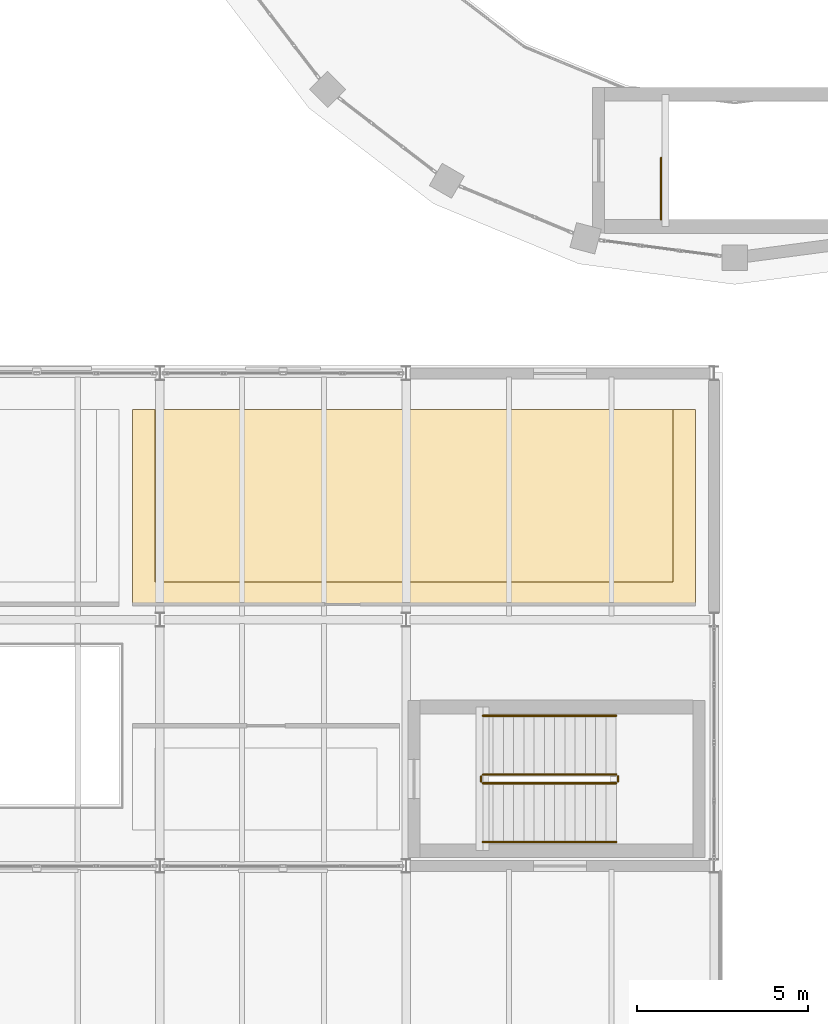
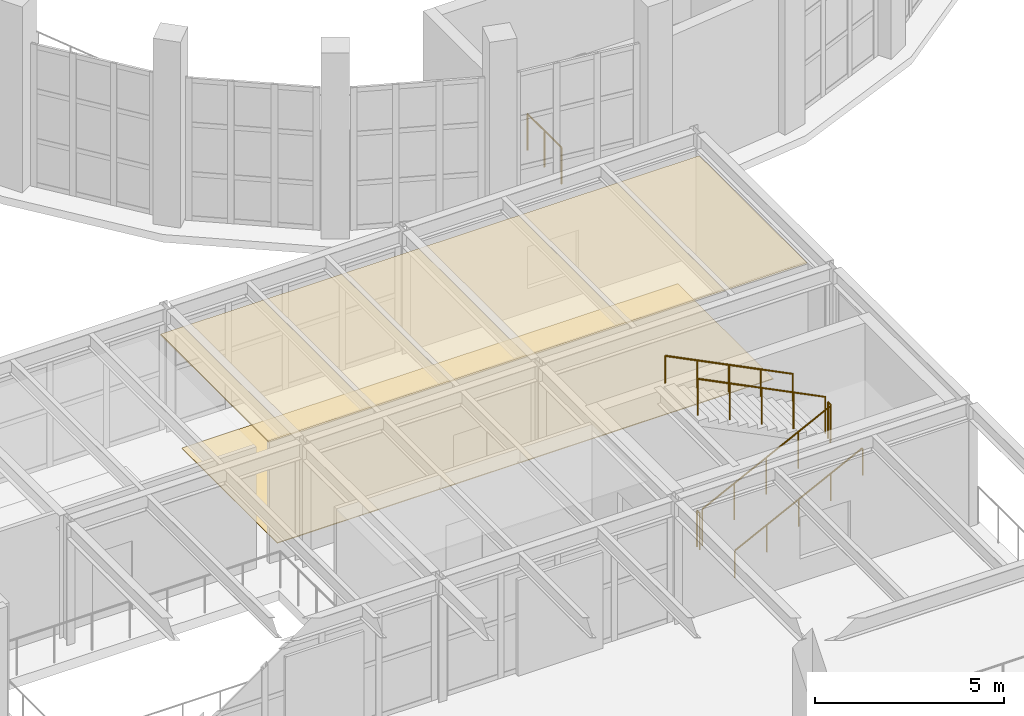
# One storey, part 58 of 59: 7 railings, 2 coverings.
"""IFC4 building model written with IfcOpenShell, lengths in metres."""

from ifc_helpers import new_model, si_unit, direction, frame, origin, origin_2d, place, context, subcontext, project, spatial, polyline, circle, outline, extrude, material, layer, layer_set, type_object, element, save


model = new_model("IFC4")

# Units and contexts
model_context = context("Model", 3, precision=1e-05, world=origin(), true_north=direction((0.0, 1.0)))
body_context = subcontext(model_context, "Body", "Model", "MODEL_VIEW")
ifc_project = project(units=[si_unit("LENGTHUNIT", "METRE"), si_unit("AREAUNIT", "SQUARE_METRE"), si_unit("VOLUMEUNIT", "CUBIC_METRE"), si_unit("PLANEANGLEUNIT", "RADIAN"), si_unit("MASSUNIT", "GRAM", prefix="KILO")], contexts=[model_context])

# Site, building, storey
site_placement = place(None, origin())
site = spatial("IfcSite", under=ifc_project, at=site_placement, CompositionType="ELEMENT")
building_placement = place(site_placement, origin())
building = spatial("IfcBuilding", under=site, at=building_placement, Name="Kandorven Conservatory and Botanical Research Centre", CompositionType="ELEMENT")
storey_placement = place(building_placement, frame((0.0, 0.0, 4.800048828125)))
storey = spatial("IfcBuildingStorey", under=building, at=storey_placement, Name="L01", CompositionType="ELEMENT", Elevation=4.800048828125)

# Coverings
ifc_material_1 = material(Name="Perforated mineral-fibre acoustic ceiling tile", Category="gypsum")
ifc_layer_1 = layer(ifc_material_1, 0.0400390625)
ifc_layer_set_1 = layer_set([ifc_layer_1], Name="Perforated mineral-fibre acoustic ceiling tile")
covering_type_1 = type_object("IfcCoveringType", Name="Cov_Ceiling_1", PredefinedType="CEILING", material=ifc_layer_set_1)
covering_1_placement = place(storey_placement, frame((0.0, 0.0, 3.889892578125)))
element("IfcCovering", 1, at=covering_1_placement, inside=storey, type_object=covering_type_1, Name="Suspended acoustic ceiling CLG-01 (Medicinal Plants and Ethnobotany Exhibition Gallery)", PredefinedType="CEILING", context=body_context, shape_type="SweptSolid", body=[
    extrude(outline(polyline([(70.0, 20.85009765625), (86.449951171875, 20.85009765625), (86.449951171875, 26.550048828125), (70.0, 26.550048828125), (70.0, 20.85009765625)])), origin(), (0.0, 0.0, 1.0), 0.0400390625),
])
ifc_material_2 = material(Name="Honed Kota stone and epoxy laboratory flooring", Category="masonry")
ifc_layer_2 = layer(ifc_material_2, 0.02490234375)
ifc_layer_set_2 = layer_set([ifc_layer_2], Name="Honed Kota stone and epoxy laboratory flooring")
covering_type_2 = type_object("IfcCoveringType", Name="Cov_Flooring_1", PredefinedType="FLOORING", material=ifc_layer_set_2)
covering_2_placement = place(storey_placement, origin())
element("IfcCovering", 2, at=covering_2_placement, inside=storey, type_object=covering_type_2, Name="Floor finish FLR-01 (Medicinal Plants and Ethnobotany Exhibition Gallery)", PredefinedType="FLOORING", context=body_context, shape_type="SweptSolid", body=[
    extrude(outline(polyline([(70.64990234375, 21.5), (85.800048828125, 21.5), (85.800048828125, 26.550048828125), (70.64990234375, 26.550048828125), (70.64990234375, 21.5)])), origin(), (0.0, 0.0, 1.0), 0.02490234375),
])

# Railings
ifc_material_3 = material(Name="Steel S355 (IS 2062 E350)", Category="steel")
railing_type_1 = type_object("IfcRailingType", Name="StairGuard_1150", PredefinedType="BALUSTRADE", material=ifc_material_3)
railing_1_placement = place(storey_placement, frame((80.239990234375, 15.6201171875, 0.14990234375)))
element("IfcRailing", 3, at=railing_1_placement, inside=storey, type_object=railing_type_1, Name="L01 ST-V3B stair guard 1", PredefinedType="BALUSTRADE", context=body_context, shape_type="SweptSolid", body=[
    extrude(circle(Radius=0.02392578125, at=origin_2d()), frame((0.0, 0.0, 1.17578125), z_axis=(0.894427191, 0.0, 0.4472135955), x_axis=(0.0, 1.0, 0.0)), (0.0, 0.0, 1.0), 4.360107421875),
    extrude(circle(Radius=0.02099609375, at=origin_2d()), origin(), (0.0, 0.0, 1.0), 1.15185546875),
    extrude(circle(Radius=0.02099609375, at=origin_2d()), frame((0.97509765625, 0.0, 0.487548828125)), (0.0, 0.0, 1.0), 1.15185546875),
    extrude(circle(Radius=0.02099609375, at=origin_2d()), frame((1.949951171875, 0.0, 0.97509765625)), (0.0, 0.0, 1.0), 1.15185546875),
    extrude(circle(Radius=0.02099609375, at=origin_2d()), frame((2.9248046875, 0.0, 1.46240234375)), (0.0, 0.0, 1.0), 1.15185546875),
    extrude(circle(Radius=0.02099609375, at=origin_2d()), frame((3.89990234375, 0.0, 1.949951171875)), (0.0, 0.0, 1.0), 1.15185546875),
])
railing_2_placement = place(storey_placement, frame((84.18994140625, 15.669921875, 2.099853515625)))
element("IfcRailing", 4, at=railing_2_placement, inside=storey, type_object=railing_type_1, Name="L01 ST-V3B stair guard 2", PredefinedType="BALUSTRADE", context=body_context, shape_type="SweptSolid", body=[
    extrude(circle(Radius=0.02392578125, at=origin_2d()), frame((0.0, 0.0, 1.17578125), z_axis=(0.0, 1.0, 0.0), x_axis=(-1.0, 0.0, 0.0)), (0.0, 0.0, 1.0), 0.150146484375),
    extrude(circle(Radius=0.02099609375, at=origin_2d()), origin(), (0.0, 0.0, 1.0), 1.15185546875),
    extrude(circle(Radius=0.02099609375, at=origin_2d()), frame((0.0, 0.150146484375, 0.0)), (0.0, 0.0, 1.0), 1.15185546875),
])
railing_3_placement = place(storey_placement, frame((84.139892578125, 15.8701171875, 2.25)))
element("IfcRailing", 5, at=railing_3_placement, inside=storey, type_object=railing_type_1, Name="L01 ST-V3B stair guard 3", PredefinedType="BALUSTRADE", context=body_context, shape_type="SweptSolid", body=[
    extrude(circle(Radius=0.02392578125, at=origin_2d()), frame((0.0, 0.0, 1.17578125), z_axis=(-0.894427191, 0.0, 0.4472135955), x_axis=(0.0, -1.0, 0.0)), (0.0, 0.0, 1.0), 4.360107421875),
    extrude(circle(Radius=0.02099609375, at=origin_2d()), origin(), (0.0, 0.0, 1.0), 1.15185546875),
    extrude(circle(Radius=0.02099609375, at=origin_2d()), frame((-0.97509765625, 0.0, 0.487548828125)), (0.0, 0.0, 1.0), 1.15185546875),
    extrude(circle(Radius=0.02099609375, at=origin_2d()), frame((-1.949951171875, 0.0, 0.97509765625)), (0.0, 0.0, 1.0), 1.15185546875),
    extrude(circle(Radius=0.02099609375, at=origin_2d()), frame((-2.9248046875, 0.0, 1.46240234375)), (0.0, 0.0, 1.0), 1.15185546875),
    extrude(circle(Radius=0.02099609375, at=origin_2d()), frame((-3.89990234375, 0.0, 1.949951171875)), (0.0, 0.0, 1.0), 1.15185546875),
])
railing_4_placement = place(storey_placement, frame((80.18994140625, 15.669921875, 0.0)))
element("IfcRailing", 6, at=railing_4_placement, inside=storey, type_object=railing_type_1, Name="L01 ST-V3B stair guard 4", PredefinedType="BALUSTRADE", context=body_context, shape_type="SweptSolid", body=[
    extrude(circle(Radius=0.02392578125, at=origin_2d()), frame((0.0, 0.0, 1.17578125), z_axis=(0.0, 1.0, 0.0), x_axis=(-1.0, 0.0, 0.0)), (0.0, 0.0, 1.0), 0.150146484375),
    extrude(circle(Radius=0.02099609375, at=origin_2d()), origin(), (0.0, 0.0, 1.0), 1.15185546875),
    extrude(circle(Radius=0.02099609375, at=origin_2d()), frame((0.0, 0.150146484375, 0.0)), (0.0, 0.0, 1.0), 1.15185546875),
])
railing_5_placement = place(storey_placement, frame((85.449951171875, 32.10009765625, 0.0)))
element("IfcRailing", 7, at=railing_5_placement, inside=storey, type_object=railing_type_1, Name="L01 ST-V1 top well guard 1", PredefinedType="BALUSTRADE", context=body_context, shape_type="SweptSolid", body=[
    extrude(circle(Radius=0.02392578125, at=origin_2d()), frame((0.0, 0.0, 1.17578125), z_axis=(0.0, 1.0, 0.0), x_axis=(-1.0, 0.0, 0.0)), (0.0, 0.0, 1.0), 1.7998046875),
    extrude(circle(Radius=0.02099609375, at=origin_2d()), origin(), (0.0, 0.0, 1.0), 1.15185546875),
    extrude(circle(Radius=0.02099609375, at=origin_2d()), frame((0.0, 0.89990234375, 0.0)), (0.0, 0.0, 1.0), 1.15185546875),
    extrude(circle(Radius=0.02099609375, at=origin_2d()), frame((0.0, 1.7998046875, 0.0)), (0.0, 0.0, 1.0), 1.15185546875),
])
ifc_material_4 = material(Name="Steel S355 (IS 2062 E350)", Category="steel")
railing_type_2 = type_object("IfcRailingType", Name="StairHandrail_900", PredefinedType="HANDRAIL", material=ifc_material_4)
railing_6_placement = place(storey_placement, frame((80.239990234375, 13.89990234375, 0.14990234375)))
element("IfcRailing", 8, at=railing_6_placement, inside=storey, type_object=railing_type_2, Name="L01 ST-V3B stair handrail 1", PredefinedType="HANDRAIL", context=body_context, shape_type="SweptSolid", body=[
    extrude(circle(Radius=0.02392578125, at=origin_2d()), frame((0.0, 0.0, 0.8759765625), z_axis=(0.894427191, 0.0, 0.4472135955), x_axis=(0.0, 1.0, 0.0)), (0.0, 0.0, 1.0), 4.360107421875),
    extrude(circle(Radius=0.02099609375, at=origin_2d()), origin(), (0.0, 0.0, 1.0), 0.851806640625),
    extrude(circle(Radius=0.02099609375, at=origin_2d()), frame((0.97509765625, 0.0, 0.487548828125)), (0.0, 0.0, 1.0), 0.851806640625),
    extrude(circle(Radius=0.02099609375, at=origin_2d()), frame((1.949951171875, 0.0, 0.97509765625)), (0.0, 0.0, 1.0), 0.851806640625),
    extrude(circle(Radius=0.02099609375, at=origin_2d()), frame((2.9248046875, 0.0, 1.46240234375)), (0.0, 0.0, 1.0), 0.851806640625),
    extrude(circle(Radius=0.02099609375, at=origin_2d()), frame((3.89990234375, 0.0, 1.949951171875)), (0.0, 0.0, 1.0), 0.851806640625),
])
railing_7_placement = place(storey_placement, frame((84.139892578125, 17.590087890625, 2.25)))
element("IfcRailing", 9, at=railing_7_placement, inside=storey, type_object=railing_type_2, Name="L01 ST-V3B stair handrail 2", PredefinedType="HANDRAIL", context=body_context, shape_type="SweptSolid", body=[
    extrude(circle(Radius=0.02392578125, at=origin_2d()), frame((0.0, 0.0, 0.8759765625), z_axis=(-0.894427191, 0.0, 0.4472135955), x_axis=(0.0, -1.0, 0.0)), (0.0, 0.0, 1.0), 4.360107421875),
    extrude(circle(Radius=0.02099609375, at=origin_2d()), origin(), (0.0, 0.0, 1.0), 0.851806640625),
    extrude(circle(Radius=0.02099609375, at=origin_2d()), frame((-0.97509765625, 0.0, 0.487548828125)), (0.0, 0.0, 1.0), 0.851806640625),
    extrude(circle(Radius=0.02099609375, at=origin_2d()), frame((-1.949951171875, 0.0, 0.97509765625)), (0.0, 0.0, 1.0), 0.851806640625),
    extrude(circle(Radius=0.02099609375, at=origin_2d()), frame((-2.9248046875, 0.0, 1.46240234375)), (0.0, 0.0, 1.0), 0.851806640625),
    extrude(circle(Radius=0.02099609375, at=origin_2d()), frame((-3.89990234375, 0.0, 1.949951171875)), (0.0, 0.0, 1.0), 0.851806640625),
])

save(model, "model.ifc")
